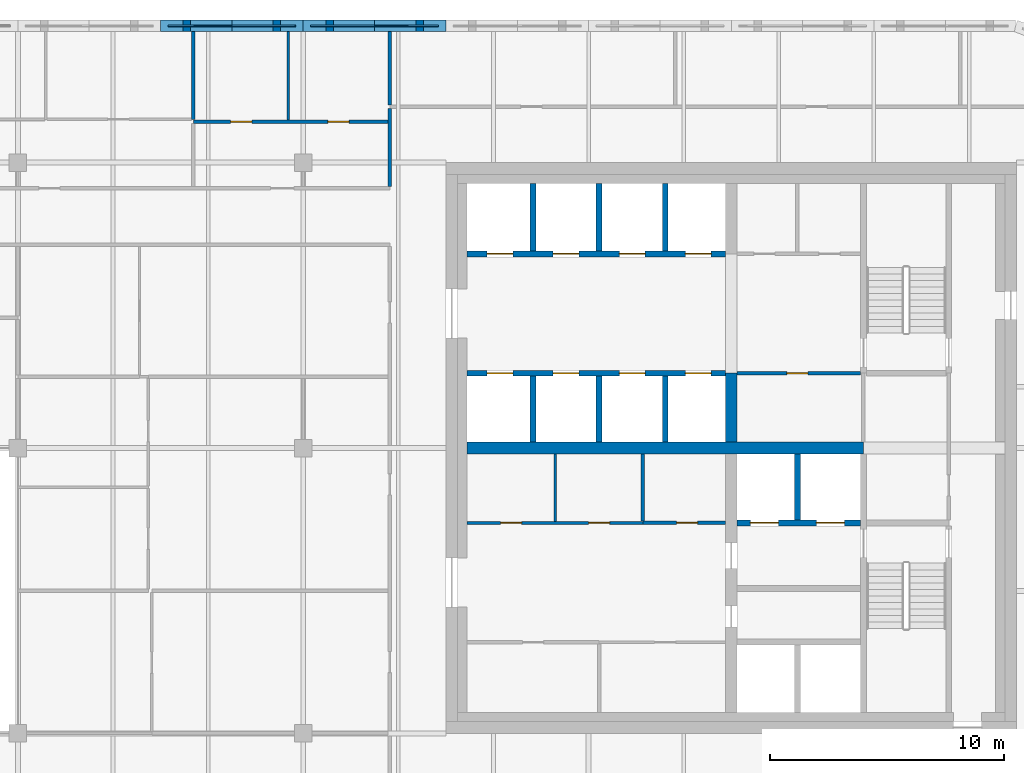
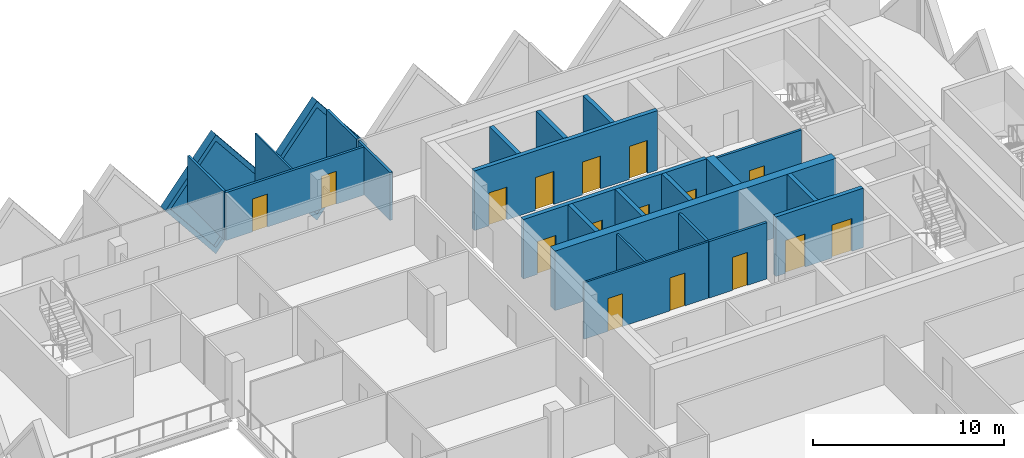
# One storey, part 8 of 11: 24 walls, 16 doors, 2 plates, 18 openings.
"""IFC4 building model written with IfcOpenShell, lengths in metres."""

from ifc_helpers import new_model, si_unit, direction, frame, frame_2d, origin, place, context, subcontext, project, spatial, polyline, rectangle, outline, extrude, faceted_brep, source, transform, mapped, material, layer, layer_set, type_object, element, fill, save


model = new_model("IFC4")

# Units and contexts
model_context = context("Model", 3, precision=1e-05, world=origin(), true_north=direction((0.0, 1.0)))
body_context = subcontext(model_context, "Body", "Model", "MODEL_VIEW")
ifc_project = project(units=[si_unit("LENGTHUNIT", "METRE"), si_unit("AREAUNIT", "SQUARE_METRE"), si_unit("VOLUMEUNIT", "CUBIC_METRE"), si_unit("PLANEANGLEUNIT", "RADIAN"), si_unit("MASSUNIT", "GRAM", prefix="KILO")], contexts=[model_context])

# Site, building, storey
site_placement = place(None, origin())
site = spatial("IfcSite", under=ifc_project, at=site_placement, CompositionType="ELEMENT")
building_placement = place(site_placement, origin())
building = spatial("IfcBuilding", under=site, at=building_placement, Name="Tessera Gate Towers", CompositionType="ELEMENT")
storey_placement = place(building_placement, frame((0.0, 0.0, 224.5)))
storey = spatial("IfcBuildingStorey", under=building, at=storey_placement, Name="L56", CompositionType="ELEMENT", Elevation=224.5)

# Wall, openings, doors
ifc_material_1 = material(Name="Concrete C40/50", Category="concrete")
ifc_layer_1 = layer(ifc_material_1, 0.25)
ifc_layer_set_1 = layer_set([ifc_layer_1], Name="CORE ENCLOSURE WALL 250")
wall_type_1 = type_object("IfcWallType", Name="CORE ENCLOSURE WALL 250", PredefinedType="SOLIDWALL", material=ifc_layer_set_1)
wall_1_placement = place(storey_placement, frame((31.39990234375, 39.800048828125, 0.0), z_axis=(0.0, 0.0, 1.0), x_axis=(1.0, 0.0, 0.0)))
wall_1 = element("IfcWall", 1, at=wall_1_placement, inside=storey, type_object=wall_type_1, Name="L56 shaft and stair enclosure wall", PredefinedType="SOLIDWALL", context=body_context, shape_type="SweptSolid", body=[
    extrude(rectangle(XDim=11.050048828125, YDim=0.25, at=frame_2d((5.52490234375, 0.0))), origin(), (0.0, 0.0, 1.0), 3.800048828125),
])
shared_shape_1 = source(origin(), body_context, "Body", "SweptSolid", [
    extrude(rectangle(XDim=1.10009765625, YDim=2.10009765625, at=frame_2d((0.550048828125, 1.050048828125))), frame((0.0, 0.135009765625, 0.0), z_axis=(0.0, -1.0, 0.0), x_axis=(1.0, 0.0, 0.0)), (0.0, 0.0, 1.0), 0.27001953125),
])
opening_1_placement = place(wall_1_placement, frame((0.862548828125, 0.0, 0.0)))
opening_1 = element("IfcOpeningElement", 2, at=opening_1_placement, cuts=wall_1, Name="Opening LD-HR1", PredefinedType="OPENING", context=body_context, shape_type="MappedRepresentation", body=[
    mapped(shared_shape_1, transform((0.0, 0.0, 0.0), scale=1.0)),
])
opening_2_placement = place(wall_1_placement, frame((3.6875, 0.0, 0.0)))
opening_2 = element("IfcOpeningElement", 3, at=opening_2_placement, cuts=wall_1, Name="Opening LD-HR2", PredefinedType="OPENING", context=body_context, shape_type="MappedRepresentation", body=[
    mapped(shared_shape_1, transform((0.0, 0.0, 0.0), scale=1.0)),
])
opening_3_placement = place(wall_1_placement, frame((6.512451171875, 0.0, 0.0)))
opening_3 = element("IfcOpeningElement", 4, at=opening_3_placement, cuts=wall_1, Name="Opening LD-HR3", PredefinedType="OPENING", context=body_context, shape_type="MappedRepresentation", body=[
    mapped(shared_shape_1, transform((0.0, 0.0, 0.0), scale=1.0)),
])
opening_4_placement = place(wall_1_placement, frame((9.33740234375, 0.0, 0.0)))
opening_4 = element("IfcOpeningElement", 5, at=opening_4_placement, cuts=wall_1, Name="Opening LD-HR4", PredefinedType="OPENING", context=body_context, shape_type="MappedRepresentation", body=[
    mapped(shared_shape_1, transform((0.0, 0.0, 0.0), scale=1.0)),
])
ifc_material_2 = material(Name="Stainless steel", Category="steel")
door_type_1 = type_object("IfcDoorType", Name="CORE DOOR LD 1100x2100", OperationType="DOUBLE_DOOR_SLIDING", PredefinedType="DOOR", material=ifc_material_2)
shared_shape_2 = source(origin(), body_context, "Body", "SweptSolid", [
    extrude(rectangle(XDim=1.10009765625, YDim=2.10009765625, at=frame_2d((0.550048828125, 1.050048828125))), frame((0.0, 0.02490234375, 0.0), z_axis=(0.0, -1.0, 0.0), x_axis=(1.0, 0.0, 0.0)), (0.0, 0.0, 1.0), 0.050048828125),
])
door_1_placement = place(opening_1_placement, origin())
door_1 = element("IfcDoor", 6, at=door_1_placement, inside=storey, type_object=door_type_1, Name="Landing door HR1 L56", OperationType="DOUBLE_DOOR_SLIDING", OverallHeight=2.10009765625, OverallWidth=1.10009765625, PredefinedType="DOOR", context=body_context, shape_type="MappedRepresentation", body=[
    mapped(shared_shape_2, transform((0.0, 0.0, 0.0), scale=1.0)),
])
fill(opening_1, door_1)
door_2_placement = place(opening_2_placement, origin())
door_2 = element("IfcDoor", 7, at=door_2_placement, inside=storey, type_object=door_type_1, Name="Landing door HR2 L56", OperationType="DOUBLE_DOOR_SLIDING", OverallHeight=2.10009765625, OverallWidth=1.10009765625, PredefinedType="DOOR", context=body_context, shape_type="MappedRepresentation", body=[
    mapped(shared_shape_2, transform((0.0, 0.0, 0.0), scale=1.0)),
])
fill(opening_2, door_2)
door_3_placement = place(opening_3_placement, origin())
door_3 = element("IfcDoor", 8, at=door_3_placement, inside=storey, type_object=door_type_1, Name="Landing door HR3 L56", OperationType="DOUBLE_DOOR_SLIDING", OverallHeight=2.10009765625, OverallWidth=1.10009765625, PredefinedType="DOOR", context=body_context, shape_type="MappedRepresentation", body=[
    mapped(shared_shape_2, transform((0.0, 0.0, 0.0), scale=1.0)),
])
fill(opening_3, door_3)
door_4_placement = place(opening_4_placement, origin())
door_4 = element("IfcDoor", 9, at=door_4_placement, inside=storey, type_object=door_type_1, Name="Landing door HR4 L56", OperationType="DOUBLE_DOOR_SLIDING", OverallHeight=2.10009765625, OverallWidth=1.10009765625, PredefinedType="DOOR", context=body_context, shape_type="MappedRepresentation", body=[
    mapped(shared_shape_2, transform((0.0, 0.0, 0.0), scale=1.0)),
])
fill(opening_4, door_4)

wall_2_placement = place(storey_placement, frame((42.449951171875, 44.89990234375, 0.0), z_axis=(0.0, 0.0, 1.0), x_axis=(-1.0, 0.0, 0.0)))
wall_2 = element("IfcWall", 10, at=wall_2_placement, inside=storey, type_object=wall_type_1, Name="L56 shaft and stair enclosure wall", PredefinedType="SOLIDWALL", context=body_context, shape_type="SweptSolid", body=[
    extrude(rectangle(XDim=11.050048828125, YDim=0.25, at=frame_2d((5.52490234375, 0.0))), origin(), (0.0, 0.0, 1.0), 3.800048828125),
])
opening_5_placement = place(wall_2_placement, frame((9.08740234375, 0.0, 0.0)))
opening_5 = element("IfcOpeningElement", 11, at=opening_5_placement, cuts=wall_2, Name="Opening LD-HR5", PredefinedType="OPENING", context=body_context, shape_type="MappedRepresentation", body=[
    mapped(shared_shape_1, transform((0.0, 0.0, 0.0), scale=1.0)),
])
opening_6_placement = place(wall_2_placement, frame((6.262451171875, 0.0, 0.0)))
opening_6 = element("IfcOpeningElement", 12, at=opening_6_placement, cuts=wall_2, Name="Opening LD-HR6", PredefinedType="OPENING", context=body_context, shape_type="MappedRepresentation", body=[
    mapped(shared_shape_1, transform((0.0, 0.0, 0.0), scale=1.0)),
])
opening_7_placement = place(wall_2_placement, frame((3.4375, 0.0, 0.0)))
opening_7 = element("IfcOpeningElement", 13, at=opening_7_placement, cuts=wall_2, Name="Opening LD-HR7", PredefinedType="OPENING", context=body_context, shape_type="MappedRepresentation", body=[
    mapped(shared_shape_1, transform((0.0, 0.0, 0.0), scale=1.0)),
])
opening_8_placement = place(wall_2_placement, frame((0.612548828125, 0.0, 0.0)))
opening_8 = element("IfcOpeningElement", 14, at=opening_8_placement, cuts=wall_2, Name="Opening LD-HR8", PredefinedType="OPENING", context=body_context, shape_type="MappedRepresentation", body=[
    mapped(shared_shape_1, transform((0.0, 0.0, 0.0), scale=1.0)),
])
door_5_placement = place(opening_5_placement, origin())
door_5 = element("IfcDoor", 15, at=door_5_placement, inside=storey, type_object=door_type_1, Name="Landing door HR5 L56", OperationType="DOUBLE_DOOR_SLIDING", OverallHeight=2.10009765625, OverallWidth=1.10009765625, PredefinedType="DOOR", context=body_context, shape_type="MappedRepresentation", body=[
    mapped(shared_shape_2, transform((0.0, 0.0, 0.0), scale=1.0)),
])
fill(opening_5, door_5)
door_6_placement = place(opening_6_placement, origin())
door_6 = element("IfcDoor", 16, at=door_6_placement, inside=storey, type_object=door_type_1, Name="Landing door HR6 L56", OperationType="DOUBLE_DOOR_SLIDING", OverallHeight=2.10009765625, OverallWidth=1.10009765625, PredefinedType="DOOR", context=body_context, shape_type="MappedRepresentation", body=[
    mapped(shared_shape_2, transform((0.0, 0.0, 0.0), scale=1.0)),
])
fill(opening_6, door_6)
door_7_placement = place(opening_7_placement, origin())
door_7 = element("IfcDoor", 17, at=door_7_placement, inside=storey, type_object=door_type_1, Name="Landing door HR7 L56", OperationType="DOUBLE_DOOR_SLIDING", OverallHeight=2.10009765625, OverallWidth=1.10009765625, PredefinedType="DOOR", context=body_context, shape_type="MappedRepresentation", body=[
    mapped(shared_shape_2, transform((0.0, 0.0, 0.0), scale=1.0)),
])
fill(opening_7, door_7)
door_8_placement = place(opening_8_placement, origin())
door_8 = element("IfcDoor", 18, at=door_8_placement, inside=storey, type_object=door_type_1, Name="Landing door HR8 L56", OperationType="DOUBLE_DOOR_SLIDING", OverallHeight=2.10009765625, OverallWidth=1.10009765625, PredefinedType="DOOR", context=body_context, shape_type="MappedRepresentation", body=[
    mapped(shared_shape_2, transform((0.0, 0.0, 0.0), scale=1.0)),
])
fill(opening_8, door_8)

wall_3_placement = place(storey_placement, frame((48.22509765625, 33.39990234375, 0.0), z_axis=(0.0, 0.0, 1.0), x_axis=(-1.0, 0.0, 0.0)))
wall_3 = element("IfcWall", 19, at=wall_3_placement, inside=storey, type_object=wall_type_1, Name="L56 shaft and stair enclosure wall", PredefinedType="SOLIDWALL", context=body_context, shape_type="SweptSolid", body=[
    extrude(rectangle(XDim=5.275146484375, YDim=0.25, at=frame_2d((2.6376953125, 0.0))), origin(), (0.0, 0.0, 1.0), 3.800048828125),
])
shared_shape_3 = source(origin(), body_context, "Body", "SweptSolid", [
    extrude(rectangle(XDim=1.199951171875, YDim=2.10009765625, at=frame_2d((0.60009765625, 1.050048828125))), frame((0.0, 0.135009765625, 0.0), z_axis=(0.0, -1.0, 0.0), x_axis=(1.0, 0.0, 0.0)), (0.0, 0.0, 1.0), 0.27001953125),
])
opening_9_placement = place(wall_3_placement, frame((3.512451171875, 0.0, 0.0)))
opening_9 = element("IfcOpeningElement", 20, at=opening_9_placement, cuts=wall_3, Name="Opening LD-FF1", PredefinedType="OPENING", context=body_context, shape_type="MappedRepresentation", body=[
    mapped(shared_shape_3, transform((0.0, 0.0, 0.0), scale=1.0)),
])
opening_10_placement = place(wall_3_placement, frame((0.6875, 0.0, 0.0)))
opening_10 = element("IfcOpeningElement", 21, at=opening_10_placement, cuts=wall_3, Name="Opening LD-FF2", PredefinedType="OPENING", context=body_context, shape_type="MappedRepresentation", body=[
    mapped(shared_shape_3, transform((0.0, 0.0, 0.0), scale=1.0)),
])
ifc_material_3 = material(Name="Stainless steel", Category="steel")
door_type_2 = type_object("IfcDoorType", Name="CORE DOOR LD1200 1200x2100", OperationType="DOUBLE_DOOR_SLIDING", PredefinedType="DOOR", material=ifc_material_3)
shared_shape_4 = source(origin(), body_context, "Body", "SweptSolid", [
    extrude(rectangle(XDim=1.199951171875, YDim=2.10009765625, at=frame_2d((0.60009765625, 1.050048828125))), frame((0.0, 0.02490234375, 0.0), z_axis=(0.0, -1.0, 0.0), x_axis=(1.0, 0.0, 0.0)), (0.0, 0.0, 1.0), 0.050048828125),
])
door_9_placement = place(opening_9_placement, origin())
door_9 = element("IfcDoor", 22, at=door_9_placement, inside=storey, type_object=door_type_2, Name="Landing door FF1 L56", OperationType="DOUBLE_DOOR_SLIDING", OverallHeight=2.10009765625, OverallWidth=1.199951171875, PredefinedType="DOOR", context=body_context, shape_type="MappedRepresentation", body=[
    mapped(shared_shape_4, transform((0.0, 0.0, 0.0), scale=1.0)),
])
fill(opening_9, door_9)
door_10_placement = place(opening_10_placement, origin())
door_10 = element("IfcDoor", 23, at=door_10_placement, inside=storey, type_object=door_type_2, Name="Landing door FF2 L56", OperationType="DOUBLE_DOOR_SLIDING", OverallHeight=2.10009765625, OverallWidth=1.199951171875, PredefinedType="DOOR", context=body_context, shape_type="MappedRepresentation", body=[
    mapped(shared_shape_4, transform((0.0, 0.0, 0.0), scale=1.0)),
])
fill(opening_10, door_10)

# Walls
for number, where, z_axis, x_axis, name in (
    (24, (34.22509765625, 36.85009765625, 0.0), (0.0, 0.0, 1.0), (0.0, 1.0, 0.0), "L56 shaft and stair enclosure wall"),
    (25, (37.050048828125, 36.85009765625, 0.0), (0.0, 0.0, 1.0), (0.0, 1.0, 0.0), "L56 shaft and stair enclosure wall"),
    (26, (39.875, 36.85009765625, 0.0), (0.0, 0.0, 1.0), (0.0, 1.0, 0.0), "L56 shaft and stair enclosure wall"),
):
    element("IfcWall", number, at=place(storey_placement, frame(where, z_axis=z_axis, x_axis=x_axis)), inside=storey, type_object=wall_type_1, Name=name, PredefinedType="SOLIDWALL", context=body_context, shape_type="SweptSolid", body=[
        extrude(rectangle(XDim=2.824951171875, YDim=0.25, at=frame_2d((1.41259765625, 0.0))), origin(), (0.0, 0.0, 1.0), 3.800048828125),
    ])
wall_4_placement = place(storey_placement, frame((45.52490234375, 33.52490234375, 0.0), z_axis=(0.0, 0.0, 1.0), x_axis=(0.0, 1.0, 0.0)))
element("IfcWall", 27, at=wall_4_placement, inside=storey, type_object=wall_type_1, Name="L56 shaft and stair enclosure wall", PredefinedType="SOLIDWALL", context=body_context, shape_type="SweptSolid", body=[
    extrude(rectangle(XDim=2.8251953125, YDim=0.25, at=frame_2d((1.41259765625, 0.0))), origin(), (0.0, 0.0, 1.0), 3.800048828125),
])
for number, where, z_axis, x_axis, name in (
    (28, (34.22509765625, 45.02490234375, 0.0), (0.0, 0.0, 1.0), (0.0, 1.0, 0.0), "L56 shaft and stair enclosure wall"),
    (29, (37.050048828125, 45.02490234375, 0.0), (0.0, 0.0, 1.0), (0.0, 1.0, 0.0), "L56 shaft and stair enclosure wall"),
    (30, (39.875, 45.02490234375, 0.0), (0.0, 0.0, 1.0), (0.0, 1.0, 0.0), "L56 shaft and stair enclosure wall"),
):
    element("IfcWall", number, at=place(storey_placement, frame(where, z_axis=z_axis, x_axis=x_axis)), inside=storey, type_object=wall_type_1, Name=name, PredefinedType="SOLIDWALL", context=body_context, shape_type="SweptSolid", body=[
        extrude(rectangle(XDim=2.875, YDim=0.25, at=frame_2d((1.4375, 0.0))), origin(), (0.0, 0.0, 1.0), 3.800048828125),
    ])

# Wall, openings, doors
ifc_material_4 = material(Name="Gypsum board on steel studs", Category="steel")
ifc_layer_2 = layer(ifc_material_4, 0.1201171875)
ifc_layer_set_2 = layer_set([ifc_layer_2], Name="CORE PARTITION 120")
wall_type_2 = type_object("IfcWallType", Name="CORE PARTITION 120", PredefinedType="PARTITIONING", material=ifc_layer_set_2)
wall_5_placement = place(storey_placement, frame((31.39990234375, 33.39990234375, 0.0), z_axis=(0.0, 0.0, 1.0), x_axis=(1.0, 0.0, 0.0)))
wall_5 = element("IfcWall", 31, at=wall_5_placement, inside=storey, type_object=wall_type_2, Name="L56 core partition", PredefinedType="PARTITIONING", context=body_context, shape_type="SweptSolid", body=[
    extrude(rectangle(XDim=7.525146484375, YDim=0.1201171875, at=frame_2d((3.7626953125, 0.0))), origin(), (0.0, 0.0, 1.0), 3.60009765625),
])
shared_shape_5 = source(origin(), body_context, "Body", "SweptSolid", [
    extrude(rectangle(XDim=0.89990234375, YDim=2.10009765625, at=frame_2d((0.449951171875, 1.050048828125))), frame((0.0, 0.070068359375, 0.0), z_axis=(0.0, -1.0, 0.0), x_axis=(1.0, 0.0, 0.0)), (0.0, 0.0, 1.0), 0.14013671875),
])
opening_11_placement = place(wall_5_placement, frame((1.4375, 0.0, 0.0)))
opening_11 = element("IfcOpeningElement", 32, at=opening_11_placement, cuts=wall_5, Name="Opening RD-T1-33-07", PredefinedType="OPENING", context=body_context, shape_type="MappedRepresentation", body=[
    mapped(shared_shape_5, transform((0.0, 0.0, 0.0), scale=1.0)),
])
opening_12_placement = place(wall_5_placement, frame((5.199951171875, 0.0, 0.0)))
opening_12 = element("IfcOpeningElement", 33, at=opening_12_placement, cuts=wall_5, Name="Opening RD-T1-33-08", PredefinedType="OPENING", context=body_context, shape_type="MappedRepresentation", body=[
    mapped(shared_shape_5, transform((0.0, 0.0, 0.0), scale=1.0)),
])
ifc_material_5 = material(Name="Hollow steel fire door", Category="steel")
door_type_3 = type_object("IfcDoorType", Name="CORE DOOR RD 900x2100", OperationType="NOTDEFINED", PredefinedType="DOOR", material=ifc_material_5)
shared_shape_6 = source(origin(), body_context, "Body", "SweptSolid", [
    extrude(rectangle(XDim=0.89990234375, YDim=2.10009765625, at=frame_2d((0.449951171875, 1.050048828125))), frame((0.0, 0.02490234375, 0.0), z_axis=(0.0, -1.0, 0.0), x_axis=(1.0, 0.0, 0.0)), (0.0, 0.0, 1.0), 0.050048828125),
])
door_11_placement = place(opening_11_placement, origin())
door_11 = element("IfcDoor", 34, at=door_11_placement, inside=storey, type_object=door_type_3, Name="Core room door", OperationType="SINGLE_SWING_LEFT", OverallHeight=2.10009765625, OverallWidth=0.89990234375, PredefinedType="DOOR", context=body_context, shape_type="MappedRepresentation", body=[
    mapped(shared_shape_6, transform((0.0, 0.0, 0.0), scale=1.0)),
])
fill(opening_11, door_11)
door_12_placement = place(opening_12_placement, origin())
door_12 = element("IfcDoor", 35, at=door_12_placement, inside=storey, type_object=door_type_3, Name="Core room door", OperationType="SINGLE_SWING_RIGHT", OverallHeight=2.10009765625, OverallWidth=0.89990234375, PredefinedType="DOOR", context=body_context, shape_type="MappedRepresentation", body=[
    mapped(shared_shape_6, transform((0.0, 0.0, 0.0), scale=1.0)),
])
fill(opening_12, door_12)

# Walls
wall_6_placement = place(storey_placement, frame((35.175048828125, 33.4599609375, 0.0), z_axis=(0.0, 0.0, 1.0), x_axis=(0.0, 1.0, 0.0)))
element("IfcWall", 36, at=wall_6_placement, inside=storey, type_object=wall_type_2, Name="L56 core partition", PredefinedType="PARTITIONING", context=body_context, shape_type="SweptSolid", body=[
    extrude(rectangle(XDim=2.89013671875, YDim=0.1201171875, at=frame_2d((1.445068359375, 0.0))), origin(), (0.0, 0.0, 1.0), 3.60009765625),
])
ifc_material_6 = material(Name="Concrete C50/60", Category="concrete")
ifc_layer_3 = layer(ifc_material_6, 0.5)
ifc_layer_set_3 = layer_set([ifc_layer_3], Name="CORE SPINE WALL 500 C50/60")
wall_type_3 = type_object("IfcWallType", Name="CORE SPINE WALL 500 C50/60", PredefinedType="SHEAR", material=ifc_layer_set_3)
wall_7_placement = place(storey_placement, frame((31.39990234375, 36.60009765625, 0.0), z_axis=(0.0, 0.0, 1.0), x_axis=(1.0, 0.0, 0.0)))
element("IfcWall", 37, at=wall_7_placement, inside=storey, type_object=wall_type_3, Name="Core wall spine L56", PredefinedType="SHEAR", context=body_context, shape_type="SweptSolid", body=[
    extrude(rectangle(XDim=16.9501953125, YDim=0.5, at=frame_2d((8.47509765625, 0.0))), origin(), (0.0, 0.0, 1.0), 3.800048828125),
])
wall_8_placement = place(storey_placement, frame((42.699951171875, 36.85009765625, 0.0), z_axis=(0.0, 0.0, 1.0), x_axis=(0.0, 1.0, 0.0)))
element("IfcWall", 38, at=wall_8_placement, inside=storey, type_object=wall_type_3, Name="Core wall spine L56", PredefinedType="SHEAR", context=body_context, shape_type="SweptSolid", body=[
    extrude(rectangle(XDim=2.949951171875, YDim=0.5, at=frame_2d((1.47509765625, 0.0))), origin(), (0.0, 0.0, 1.0), 3.800048828125),
])
ifc_material_7 = material(Name="Gypsum board on steel studs, mineral wool", Category="steel")
ifc_layer_4 = layer(ifc_material_7, 0.14990234375)
ifc_layer_set_4 = layer_set([ifc_layer_4], Name="CORRIDOR WALL 150")
wall_type_4 = type_object("IfcWallType", Name="CORRIDOR WALL 150", PredefinedType="PARTITIONING", material=ifc_layer_set_4)
wall_9_placement = place(storey_placement, frame((28.10009765625, 47.77587890625, 0.0), z_axis=(0.0, 0.0, 1.0), x_axis=(0.0, 1.0, 0.0)))
element("IfcWall", 39, at=wall_9_placement, inside=storey, type_object=wall_type_4, Name="T1-L56-PW-043", PredefinedType="PARTITIONING", context=body_context, shape_type="SweptSolid", body=[
    extrude(rectangle(XDim=3.34814453125, YDim=0.14990234375, at=frame_2d((1.674072265625, 0.0))), origin(), (0.0, 0.0, 1.0), 3.06689453125),
])
ifc_material_8 = material(Name="Gypsum board on steel studs", Category="steel")
ifc_layer_5 = layer(ifc_material_8, 0.10009765625)
ifc_layer_set_5 = layer_set([ifc_layer_5], Name="PARTITION 100")
wall_type_5 = type_object("IfcWallType", Name="PARTITION 100", PredefinedType="PARTITIONING", material=ifc_layer_set_5)
wall_10_placement = place(storey_placement, frame((23.758056640625, 50.6259765625, 0.0), z_axis=(0.0, 0.0, 1.0), x_axis=(0.0, 1.0, 0.0)))
element("IfcWall", 40, at=wall_10_placement, inside=storey, type_object=wall_type_5, Name="T1-L56-PW-047", PredefinedType="PARTITIONING", context=body_context, shape_type="SweptSolid", body=[
    extrude(rectangle(XDim=3.77392578125, YDim=0.10009765625, at=frame_2d((1.886962890625, 0.0))), origin(), (0.0, 0.0, 1.0), 3.06689453125),
])

# Wall, opening, door
ifc_material_9 = material(Name="Gypsum board on steel studs", Category="steel")
ifc_layer_6 = layer(ifc_material_9, 0.14990234375)
ifc_layer_set_6 = layer_set([ifc_layer_6], Name="SERVICE ROOM WALL 150")
wall_type_6 = type_object("IfcWallType", Name="SERVICE ROOM WALL 150", PredefinedType="PARTITIONING", material=ifc_layer_set_6)
wall_11_placement = place(storey_placement, frame((48.22509765625, 39.800048828125, 0.0), z_axis=(0.0, 0.0, 1.0), x_axis=(-1.0, 0.0, 0.0)))
wall_11 = element("IfcWall", 41, at=wall_11_placement, inside=storey, type_object=wall_type_6, Name="L56 service room wall", PredefinedType="PARTITIONING", context=body_context, shape_type="SweptSolid", body=[
    extrude(rectangle(XDim=5.275146484375, YDim=0.14990234375, at=frame_2d((2.6376953125, 0.0))), origin(), (0.0, 0.0, 1.0), 3.60009765625),
])
shared_shape_7 = source(origin(), body_context, "Body", "SweptSolid", [
    extrude(rectangle(XDim=0.89990234375, YDim=2.10009765625, at=frame_2d((0.449951171875, 1.050048828125))), frame((0.0, 0.0849609375, 0.0), z_axis=(0.0, -1.0, 0.0), x_axis=(1.0, 0.0, 0.0)), (0.0, 0.0, 1.0), 0.169921875),
])
opening_13_placement = place(wall_11_placement, frame((2.25, 0.0, 0.0)))
opening_13 = element("IfcOpeningElement", 42, at=opening_13_placement, cuts=wall_11, Name="Opening RD-T1-33-10", PredefinedType="OPENING", context=body_context, shape_type="MappedRepresentation", body=[
    mapped(shared_shape_7, transform((0.0, 0.0, 0.0), scale=1.0)),
])
door_13_placement = place(opening_13_placement, origin())
door_13 = element("IfcDoor", 43, at=door_13_placement, inside=storey, type_object=door_type_3, Name="Core room door", OperationType="SINGLE_SWING_RIGHT", OverallHeight=2.10009765625, OverallWidth=0.89990234375, PredefinedType="DOOR", context=body_context, shape_type="MappedRepresentation", body=[
    mapped(shared_shape_6, transform((0.0, 0.0, 0.0), scale=1.0)),
])
fill(opening_13, door_13)

wall_12_placement = place(storey_placement, frame((38.925048828125, 33.39990234375, 0.0), z_axis=(0.0, 0.0, 1.0), x_axis=(1.0, 0.0, 0.0)))
wall_12 = element("IfcWall", 44, at=wall_12_placement, inside=storey, type_object=wall_type_6, Name="L56 service room wall", PredefinedType="PARTITIONING", context=body_context, shape_type="SweptSolid", body=[
    extrude(rectangle(XDim=3.52490234375, YDim=0.14990234375, at=frame_2d((1.762451171875, 0.0))), origin(), (0.0, 0.0, 1.0), 3.60009765625),
])
opening_14_placement = place(wall_12_placement, frame((1.4375, 0.0, 0.0)))
opening_14 = element("IfcOpeningElement", 45, at=opening_14_placement, cuts=wall_12, Name="Opening RD-T1-33-15", PredefinedType="OPENING", context=body_context, shape_type="MappedRepresentation", body=[
    mapped(shared_shape_7, transform((0.0, 0.0, 0.0), scale=1.0)),
])
door_14_placement = place(opening_14_placement, origin())
door_14 = element("IfcDoor", 46, at=door_14_placement, inside=storey, type_object=door_type_3, Name="Core room door", OperationType="SINGLE_SWING_RIGHT", OverallHeight=2.10009765625, OverallWidth=0.89990234375, PredefinedType="DOOR", context=body_context, shape_type="MappedRepresentation", body=[
    mapped(shared_shape_6, transform((0.0, 0.0, 0.0), scale=1.0)),
])
fill(opening_14, door_14)

# Wall
wall_13_placement = place(storey_placement, frame((38.925048828125, 33.47509765625, 0.0), z_axis=(0.0, 0.0, 1.0), x_axis=(0.0, 1.0, 0.0)))
element("IfcWall", 47, at=wall_13_placement, inside=storey, type_object=wall_type_6, Name="L56 service room wall", PredefinedType="PARTITIONING", context=body_context, shape_type="SweptSolid", body=[
    extrude(rectangle(XDim=2.875, YDim=0.14990234375, at=frame_2d((1.4375, 0.0))), origin(), (0.0, 0.0, 1.0), 3.60009765625),
])

# Wall, openings, doors
ifc_material_10 = material(Name="Gypsum board on steel studs, mineral wool", Category="steel")
ifc_layer_7 = layer(ifc_material_10, 0.14990234375)
ifc_layer_set_7 = layer_set([ifc_layer_7], Name="TENANCY WALL 150")
wall_type_7 = type_object("IfcWallType", Name="TENANCY WALL 150", PredefinedType="PARTITIONING", material=ifc_layer_set_7)
wall_14_placement = place(storey_placement, frame((19.699951171875, 50.550048828125, 0.0), z_axis=(0.0, 0.0, 1.0), x_axis=(1.0, 0.0, 0.0)))
wall_14 = element("IfcWall", 48, at=wall_14_placement, inside=storey, type_object=wall_type_7, Name="T1-L56-PW-046", PredefinedType="PARTITIONING", context=body_context, shape_type="SweptSolid", body=[
    extrude(rectangle(XDim=8.323974609375, YDim=0.14990234375, at=frame_2d((4.162109375, 0.0))), origin(), (0.0, 0.0, 1.0), 3.06689453125),
])
opening_15_placement = place(wall_14_placement, frame((1.60009765625, 0.0, 0.0)))
opening_15 = element("IfcOpeningElement", 49, at=opening_15_placement, cuts=wall_14, Name="Opening D190-A20-01", PredefinedType="OPENING", context=body_context, shape_type="MappedRepresentation", body=[
    mapped(shared_shape_7, transform((0.0, 0.0, 0.0), scale=1.0)),
])
opening_16_placement = place(wall_14_placement, frame((5.758056640625, 0.0, 0.0)))
opening_16 = element("IfcOpeningElement", 50, at=opening_16_placement, cuts=wall_14, Name="Opening D190-A20-02", PredefinedType="OPENING", context=body_context, shape_type="MappedRepresentation", body=[
    mapped(shared_shape_7, transform((0.0, 0.0, 0.0), scale=1.0)),
])
ifc_material_11 = material(Name="Timber door leaf in steel frame", Category="steel")
door_type_4 = type_object("IfcDoorType", Name="INTERNAL DOOR 900 NOT RATED", OperationType="NOTDEFINED", PredefinedType="DOOR", material=ifc_material_11)
door_15_placement = place(opening_15_placement, origin())
door_15 = element("IfcDoor", 51, at=door_15_placement, inside=storey, type_object=door_type_4, Name="T1-L56-PD-002", OperationType="SINGLE_SWING_LEFT", OverallHeight=2.10009765625, OverallWidth=0.89990234375, PredefinedType="DOOR", context=body_context, shape_type="MappedRepresentation", body=[
    mapped(shared_shape_6, transform((0.0, 0.0, 0.0), scale=1.0)),
])
fill(opening_15, door_15)
door_16_placement = place(opening_16_placement, origin())
door_16 = element("IfcDoor", 52, at=door_16_placement, inside=storey, type_object=door_type_4, Name="T1-L56-PD-003", OperationType="SINGLE_SWING_LEFT", OverallHeight=2.10009765625, OverallWidth=0.89990234375, PredefinedType="DOOR", context=body_context, shape_type="MappedRepresentation", body=[
    mapped(shared_shape_6, transform((0.0, 0.0, 0.0), scale=1.0)),
])
fill(opening_16, door_16)

# Walls
wall_15_placement = place(storey_placement, frame((19.699951171875, 50.64990234375, 0.0), z_axis=(0.0, 0.0, 1.0), x_axis=(0.0, 1.0, 0.0)))
element("IfcWall", 53, at=wall_15_placement, inside=storey, type_object=wall_type_7, Name="T1-L56-PW-051", PredefinedType="PARTITIONING", context=body_context, shape_type="SweptSolid", body=[
    extrude(rectangle(XDim=3.75, YDim=0.14990234375, at=frame_2d((1.875, 0.0))), origin(), (0.0, 0.0, 1.0), 3.06689453125),
])
wall_16_placement = place(storey_placement, frame((28.10009765625, 51.27587890625, 0.0), z_axis=(0.0, 0.0, 1.0), x_axis=(0.0, 1.0, 0.0)))
element("IfcWall", 54, at=wall_16_placement, inside=storey, type_object=wall_type_7, Name="T1-L56-PW-053", PredefinedType="PARTITIONING", context=body_context, shape_type="SweptSolid", body=[
    extrude(rectangle(XDim=3.1240234375, YDim=0.14990234375, at=frame_2d((1.56201171875, 0.0))), origin(), (0.0, 0.0, 1.0), 3.06689453125),
])

# Wall, opening, plate
ifc_material_12 = material(Name="Precast concrete C60/75 white", Category="concrete")
ifc_layer_8 = layer(ifc_material_12, 0.5)
ifc_layer_set_8 = layer_set([ifc_layer_8], Name="TS1 tessera")
wall_type_8 = type_object("IfcWallType", Name="TS1 tessera", PredefinedType="SOLIDWALL", material=ifc_layer_set_8)
shared_shape_8 = source(origin(), body_context, "Body", "Brep", [
    faceted_brep([(3.050048828125, -0.25, 0.0), (6.099853515625, -0.25, 3.7998046875), (6.099853515625, -0.25, 3.80029296875), (3.050048828125, -0.25, 7.60009765625), (0.0, -0.25, 3.800048828125), (0.0, 0.25, 3.800048828125), (3.050048828125, 0.25, 7.60009765625), (6.099853515625, 0.25, 3.80029296875), (6.099853515625, 0.25, 3.7998046875), (3.050048828125, 0.25, 0.0)], [[[0, 1, 2, 3, 4]], [[5, 6, 7, 8, 9]], [[9, 8, 1, 0]], [[7, 6, 3, 2]], [[6, 5, 4, 3]], [[5, 9, 0, 4]], [[1, 8, 7, 2]]]),
])
wall_17_placement = place(storey_placement, frame((24.39990234375, 54.64990234375, -3.800048828125), z_axis=(0.0, 0.0, 1.0), x_axis=(-1.0, 0.0, 0.0)))
wall_17 = element("IfcWall", 55, at=wall_17_placement, inside=storey, type_object=wall_type_8, Name="Precast tessera T1 TS1-1004", PredefinedType="SOLIDWALL", context=body_context, shape_type="MappedRepresentation", body=[
    mapped(shared_shape_8, transform((0.0, 0.0, 0.0), scale=1.0)),
])
shared_shape_9 = source(origin(), body_context, "Body", "SweptSolid", [
    extrude(outline(polyline([(3.050048828125, 0.3994140625), (5.779541015625, 3.800048828125), (3.050048828125, 7.20068359375), (0.320556640625, 3.800048828125), (3.050048828125, 0.3994140625)])), frame((0.0, 0.260009765625, 0.0), z_axis=(0.0, -1.0, 0.0), x_axis=(1.0, 0.0, 0.0)), (0.0, 0.0, 1.0), 0.52001953125),
])
opening_17_placement = place(wall_17_placement, origin())
opening_17 = element("IfcOpeningElement", 56, at=opening_17_placement, cuts=wall_17, Name="Opening T1-PL2-2044", PredefinedType="OPENING", context=body_context, shape_type="MappedRepresentation", body=[
    mapped(shared_shape_9, transform((0.0, 0.0, 0.0), scale=1.0)),
])
ifc_material_13 = material(Name="Low-e laminated glass", Category="glass")
ifc_layer_9 = layer(ifc_material_13, 0.06005859375)
ifc_layer_set_9 = layer_set([ifc_layer_9], Name="PL2 rhombic pane")
plate_type = type_object("IfcPlateType", Name="PL2 rhombic pane", PredefinedType="SHEET", material=ifc_layer_set_9)
shared_shape_10 = source(origin(), body_context, "Body", "SweptSolid", [
    extrude(outline(polyline([(3.050048828125, 0.3994140625), (5.779541015625, 3.800048828125), (3.050048828125, 7.20068359375), (0.320556640625, 3.800048828125), (3.050048828125, 0.3994140625)])), frame((0.0, 0.030029296875, 0.0), z_axis=(0.0, -1.0, 0.0), x_axis=(1.0, 0.0, 0.0)), (0.0, 0.0, 1.0), 0.06005859375),
])
plate_1_placement = place(opening_17_placement, origin())
plate_1 = element("IfcPlate", 57, at=plate_1_placement, inside=storey, type_object=plate_type, Name="Glass pane T1 PL2-2044", PredefinedType="SHEET", context=body_context, shape_type="MappedRepresentation", body=[
    mapped(shared_shape_10, transform((0.0, 0.0, 0.0), scale=1.0)),
])
fill(opening_17, plate_1)

shared_shape_11 = source(origin(), body_context, "Body", "SweptSolid", [
    extrude(outline(polyline([(3.050048828125, 0.0), (6.10009765625, 3.800048828125), (3.050048828125, 7.60009765625), (0.0, 3.800048828125), (3.050048828125, 0.0)])), frame((0.0, 0.25, 0.0), z_axis=(0.0, -1.0, 0.0), x_axis=(1.0, 0.0, 0.0)), (0.0, 0.0, 1.0), 0.5),
])
wall_18_placement = place(storey_placement, frame((30.5, 54.64990234375, -3.800048828125), z_axis=(0.0, 0.0, 1.0), x_axis=(-1.0, 0.0, 0.0)))
wall_18 = element("IfcWall", 58, at=wall_18_placement, inside=storey, type_object=wall_type_8, Name="Precast tessera T1 TS1-1003", PredefinedType="SOLIDWALL", context=body_context, shape_type="MappedRepresentation", body=[
    mapped(shared_shape_11, transform((0.0, 0.0, 0.0), scale=1.0)),
])
opening_18_placement = place(wall_18_placement, origin())
opening_18 = element("IfcOpeningElement", 59, at=opening_18_placement, cuts=wall_18, Name="Opening T1-PL2-2043", PredefinedType="OPENING", context=body_context, shape_type="MappedRepresentation", body=[
    mapped(shared_shape_9, transform((0.0, 0.0, 0.0), scale=1.0)),
])
plate_2_placement = place(opening_18_placement, origin())
plate_2 = element("IfcPlate", 60, at=plate_2_placement, inside=storey, type_object=plate_type, Name="Glass pane T1 PL2-2043", PredefinedType="SHEET", context=body_context, shape_type="MappedRepresentation", body=[
    mapped(shared_shape_10, transform((0.0, 0.0, 0.0), scale=1.0)),
])
fill(opening_18, plate_2)

save(model, "model.ifc")
